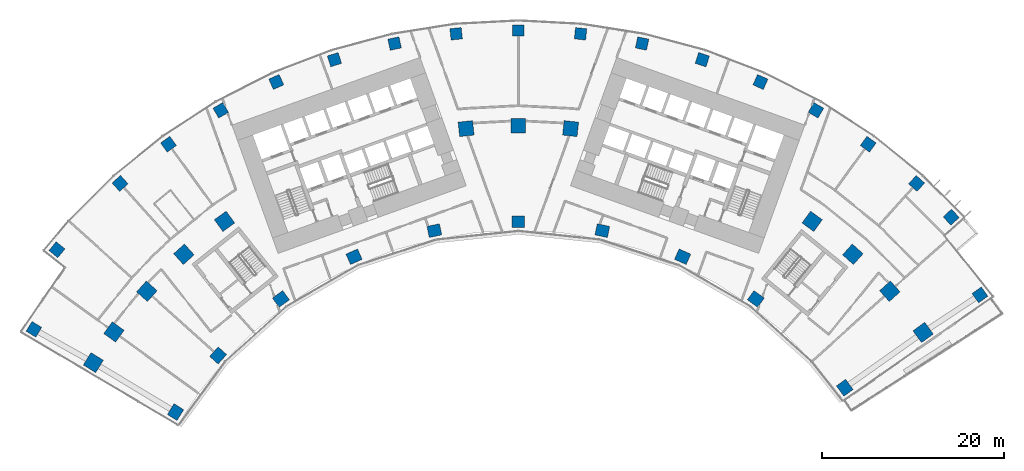
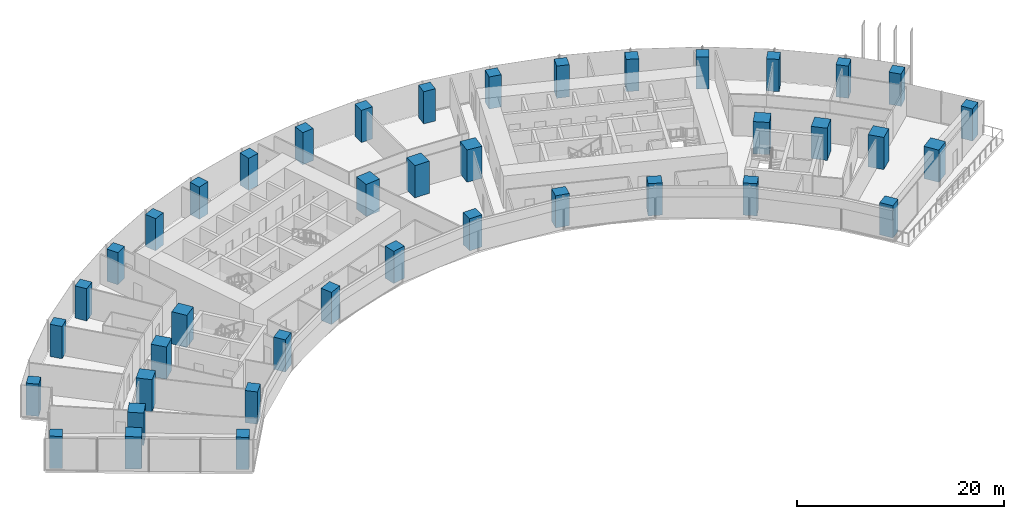
# One storey, part 1 of 21: 41 columns.
"""IFC4 building model written with IfcOpenShell, lengths in metres."""

from ifc_helpers import new_model, si_unit, direction, frame, origin, origin_2d, place, context, subcontext, project, spatial, rectangle, extrude, material, material_profile, profile_set, type_object, element, save


model = new_model("IFC4")

# Units and contexts
model_context = context("Model", 3, precision=1e-05, world=origin(), true_north=direction((0.0, 1.0)))
body_context = subcontext(model_context, "Body", "Model", "MODEL_VIEW")
ifc_project = project(units=[si_unit("LENGTHUNIT", "METRE"), si_unit("AREAUNIT", "SQUARE_METRE"), si_unit("VOLUMEUNIT", "CUBIC_METRE"), si_unit("PLANEANGLEUNIT", "RADIAN"), si_unit("MASSUNIT", "GRAM", prefix="KILO")], contexts=[model_context])

# Site, building, storey
site_placement = place(None, origin())
site = spatial("IfcSite", under=ifc_project, at=site_placement, CompositionType="ELEMENT")
building_placement = place(site_placement, origin())
building = spatial("IfcBuilding", under=site, at=building_placement, Name="Stone Belt Terrace Tower", CompositionType="ELEMENT")
storey_placement = place(building_placement, frame((0.0, 0.0, 56.60009765625)))
storey = spatial("IfcBuildingStorey", under=building, at=storey_placement, Name="L13", CompositionType="ELEMENT", Elevation=56.60009765625)

# Columns
ifc_material = material(Name="Concrete B80", Category="concrete")
ifc_material_profile_1 = material_profile(ifc_material, rectangle(XDim=1.25, YDim=1.25, at=origin_2d()), Name="RC 1250x1250")
ifc_profile_set_1 = profile_set([ifc_material_profile_1], Name="Concrete B80")
column_type_1 = type_object("IfcColumnType", Name="Column RC 1250x1250 B80", PredefinedType="COLUMN", material=ifc_profile_set_1)
for number, where, z_axis, x_axis, name in (
    (1, (-53.30078125, 32.6171875, 0.0), (0.0, 0.0, 1.0), (0.521967198123, 0.852965558556, 0.0), "Column L13 RA"),
    (2, (50.789794921875, 36.40380859375, 0.0), (0.0, 0.0, 1.0), (0.582565651933, -0.81278364968, 0.0), "Column L13 RB"),
    (3, (-50.7646484375, 41.373046875, 0.0), (0.0, 0.0, 1.0), (0.631758757508, 0.775165061333, 0.0), "Column L13 RNA"),
    (4, (-43.820556640625, 48.667724609375, 0.0), (0.0, 0.0, 1.0), (0.743144825477, 0.669130606359, 0.0), "Column L13 R15"),
    (5, (-38.493408203125, 52.981689453125, 0.0), (0.0, 0.0, 1.0), (0.809016994375, 0.587785252292, 0.0), "Column L13 R16"),
    (6, (-32.744384765625, 56.715087890625, 0.0), (0.0, 0.0, 1.0), (0.866025403784, 0.5, 0.0), "Column L13 R17"),
    (7, (-26.63671875, 59.8271484375, 0.0), (0.0, 0.0, 1.0), (0.913545457643, 0.406736643076, 0.0), "Column L13 R18"),
    (8, (-20.2373046875, 62.28369140625, 0.0), (0.0, 0.0, 1.0), (0.951056516295, 0.309016994375, 0.0), "Column L13 R19"),
    (9, (-13.615966796875, 64.057861328125, 0.0), (0.0, 0.0, 1.0), (0.978147600734, 0.207911690818, 0.0), "Column L13 R20"),
    (10, (-6.845458984375, 65.130126953125, 0.0), (0.0, 0.0, 1.0), (0.994521895368, 0.104528463268, 0.0), "Column L13 R21"),
    (11, (0.0, 65.489013671875, 0.0), (0.0, 0.0, 1.0), (1.0, 0.0, 0.0), "Column L13 R22"),
    (12, (6.845458984375, 65.130126953125, 0.0), (0.0, 0.0, 1.0), (0.994521895368, -0.104528463268, 0.0), "Column L13 R23"),
    (13, (13.615966796875, 64.057861328125, 0.0), (0.0, 0.0, 1.0), (0.978147600734, -0.207911690818, 0.0), "Column L13 R24"),
    (14, (20.2373046875, 62.28369140625, 0.0), (0.0, 0.0, 1.0), (0.951056516295, -0.309016994375, 0.0), "Column L13 R25"),
    (15, (26.63671875, 59.8271484375, 0.0), (0.0, 0.0, 1.0), (0.913545457643, -0.406736643076, 0.0), "Column L13 R26"),
    (16, (32.744384765625, 56.715087890625, 0.0), (0.0, 0.0, 1.0), (0.866025403784, -0.5, 0.0), "Column L13 R27"),
    (17, (38.493408203125, 52.981689453125, 0.0), (0.0, 0.0, 1.0), (0.809016994375, -0.587785252292, 0.0), "Column L13 R28"),
    (18, (43.820556640625, 48.667724609375, 0.0), (0.0, 0.0, 1.0), (0.743144825477, -0.669130606359, 0.0), "Column L13 R29"),
    (19, (47.624267578125, 44.952392578125, 0.0), (0.0, 0.0, 1.0), (0.686413848344, -0.727211130829, 0.0), "Column L13 RNB"),
):
    element("IfcColumn", number, at=place(storey_placement, frame(where, z_axis=z_axis, x_axis=x_axis)), inside=storey, type_object=column_type_1, Name=name, PredefinedType="COLUMN", context=body_context, shape_type="SweptSolid", body=[
        extrude(rectangle(XDim=1.25, YDim=1.25, at=origin_2d()), origin(), (0.0, 0.0, 1.0), 3.7998046875),
    ])
ifc_material_profile_2 = material_profile(ifc_material, rectangle(XDim=1.39990234375, YDim=1.25, at=origin_2d()), Name="RC 1400x1250")
ifc_profile_set_2 = profile_set([ifc_material_profile_2], Name="Concrete B80")
column_type_2 = type_object("IfcColumnType", Name="Column RC 1400x1250 B80", PredefinedType="COLUMN", material=ifc_profile_set_2)
for number, where, z_axis, x_axis, name in (
    (20, (-37.718017578125, 23.510009765625, 0.0), (0.0, 0.0, 1.0), (0.528967211548, 0.84864226215, 0.0), "Column L13 PA"),
    (21, (-33.029052734375, 29.739501953125, 0.0), (0.0, 0.0, 1.0), (0.669130606359, 0.743144825477, 0.0), "Column L13 P14"),
    (22, (-26.1240234375, 35.956787109375, 0.0), (0.0, 0.0, 1.0), (0.809016994375, 0.587785252292, 0.0), "Column L13 P16"),
    (23, (-18.077392578125, 40.6025390625, 0.0), (0.0, 0.0, 1.0), (0.913545457643, 0.406736643076, 0.0), "Column L13 P18"),
    (24, (-9.240478515625, 43.473876953125, 0.0), (0.0, 0.0, 1.0), (0.978147600734, 0.207911690818, 0.0), "Column L13 P20"),
    (25, (0.0, 44.445068359375, 0.0), (0.0, 0.0, 1.0), (1.0, 0.0, 0.0), "Column L13 P22"),
    (26, (9.240478515625, 43.473876953125, 0.0), (0.0, 0.0, 1.0), (0.978147600734, -0.207911690818, 0.0), "Column L13 P24"),
    (27, (18.077392578125, 40.6025390625, 0.0), (0.0, 0.0, 1.0), (0.913545457643, -0.406736643076, 0.0), "Column L13 P26"),
    (28, (26.1240234375, 35.956787109375, 0.0), (0.0, 0.0, 1.0), (0.809016994375, -0.587785252292, 0.0), "Column L13 P28"),
    (29, (35.909912109375, 26.1884765625, 0.0), (0.0, 0.0, 1.0), (0.589233022165, -0.807963146184, 0.0), "Column L13 PB"),
):
    element("IfcColumn", number, at=place(storey_placement, frame(where, z_axis=z_axis, x_axis=x_axis)), inside=storey, type_object=column_type_2, Name=name, PredefinedType="COLUMN", context=body_context, shape_type="SweptSolid", body=[
        extrude(rectangle(XDim=1.39990234375, YDim=1.25, at=origin_2d()), origin(), (0.0, 0.0, 1.0), 3.7998046875),
    ])
ifc_material_profile_3 = material_profile(ifc_material, rectangle(XDim=1.60009765625, YDim=1.60009765625, at=origin_2d()), Name="RC 1600x1600")
ifc_profile_set_3 = profile_set([ifc_material_profile_3], Name="Concrete B80")
column_type_3 = type_object("IfcColumnType", Name="Column RC 1600x1600 B80", PredefinedType="COLUMN", material=ifc_profile_set_3)
for number, where, z_axis, x_axis, name in (
    (30, (-46.763671875, 28.951171875, 0.0), (0.0, 0.0, 1.0), (0.526383105721, 0.850247508677, 0.0), "Column L13 QA"),
    (31, (-44.495849609375, 32.328125, 0.0), (0.0, 0.0, 1.0), (0.587785252292, 0.809016994375, 0.0), "Column L13 Q13"),
    (32, (-40.873046875, 36.80224609375, 0.0), (0.0, 0.0, 1.0), (0.669130606359, 0.743144825477, 0.0), "Column L13 Q14"),
    (33, (-36.80224609375, 40.873046875, 0.0), (0.0, 0.0, 1.0), (0.743144825477, 0.669130606359, 0.0), "Column L13 Q15"),
    (34, (-32.328125, 44.495849609375, 0.0), (0.0, 0.0, 1.0), (0.809016994375, 0.587785252292, 0.0), "Column L13 Q16"),
    (35, (-5.7490234375, 54.69873046875, 0.0), (0.0, 0.0, 1.0), (0.994521895368, 0.104528463268, 0.0), "Column L13 Q21"),
    (36, (0.0, 55.0, 0.0), (0.0, 0.0, 1.0), (1.0, 0.0, 0.0), "Column L13 Q22"),
    (37, (5.7490234375, 54.69873046875, 0.0), (0.0, 0.0, 1.0), (0.994521895368, -0.104528463268, 0.0), "Column L13 Q23"),
    (38, (32.328125, 44.495849609375, 0.0), (0.0, 0.0, 1.0), (0.809016994375, -0.587785252292, 0.0), "Column L13 Q28"),
    (39, (36.80224609375, 40.873046875, 0.0), (0.0, 0.0, 1.0), (0.743144825477, -0.669130606359, 0.0), "Column L13 Q29"),
    (40, (40.873046875, 36.80224609375, 0.0), (0.0, 0.0, 1.0), (0.669130606359, -0.743144825477, 0.0), "Column L13 Q30"),
    (41, (44.536376953125, 32.272705078125, 0.0), (0.0, 0.0, 1.0), (0.586773800867, -0.809750891704, 0.0), "Column L13 QB"),
):
    element("IfcColumn", number, at=place(storey_placement, frame(where, z_axis=z_axis, x_axis=x_axis)), inside=storey, type_object=column_type_3, Name=name, PredefinedType="COLUMN", context=body_context, shape_type="SweptSolid", body=[
        extrude(rectangle(XDim=1.60009765625, YDim=1.60009765625, at=origin_2d()), origin(), (0.0, 0.0, 1.0), 3.7998046875),
    ])

save(model, "model.ifc")
